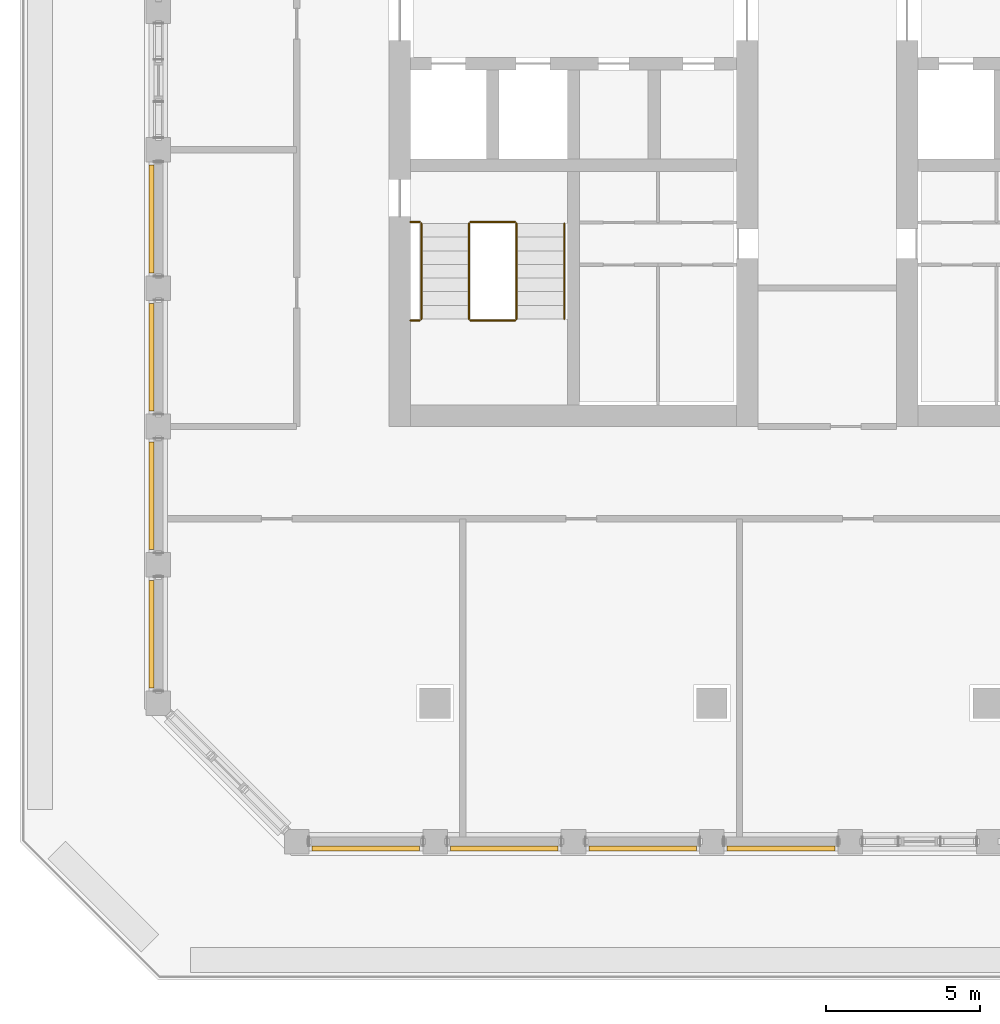
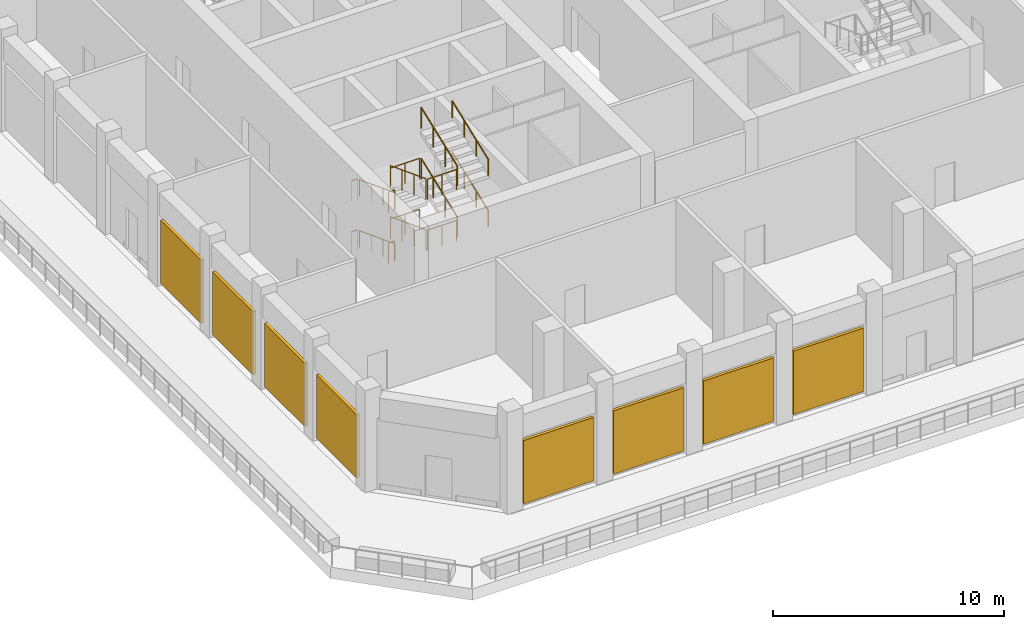
# One storey, part 14 of 19: 16 railings, 8 shading devices.
"""IFC4 building model written with IfcOpenShell, lengths in metres."""

from ifc_helpers import new_model, si_unit, direction, frame, origin, origin_2d, place, context, subcontext, project, spatial, rectangle, circle, extrude, material, layer, layer_set, type_object, element, save


model = new_model("IFC4")

# Units and contexts
model_context = context("Model", 3, precision=1e-05, world=origin(), true_north=direction((0.0, 1.0)))
body_context = subcontext(model_context, "Body", "Model", "MODEL_VIEW")
ifc_project = project(units=[si_unit("LENGTHUNIT", "METRE"), si_unit("AREAUNIT", "SQUARE_METRE"), si_unit("VOLUMEUNIT", "CUBIC_METRE"), si_unit("PLANEANGLEUNIT", "RADIAN"), si_unit("MASSUNIT", "GRAM", prefix="KILO")], contexts=[model_context])

# Site, building, storey
site_placement = place(None, origin())
site = spatial("IfcSite", under=ifc_project, at=site_placement, CompositionType="ELEMENT")
building_placement = place(site_placement, origin())
building = spatial("IfcBuilding", under=site, at=building_placement, Name="Corbel Stack Research Tower", CompositionType="ELEMENT")
storey_placement = place(building_placement, frame((0.0, 0.0, 226.199951171875)))
storey = spatial("IfcBuildingStorey", under=building, at=storey_placement, Name="L51", CompositionType="ELEMENT", Elevation=226.199951171875)

# Shading devices
ifc_material_1 = material(Name="Aluminium louvre", Category="aluminium")
ifc_layer = layer(ifc_material_1, 0.14990234375)
ifc_layer_set = layer_set([ifc_layer], Name="Aluminium louvre")
shading_device_type = type_object("IfcShadingDeviceType", Name="Plant louvre 150", PredefinedType="USERDEFINED", material=ifc_layer_set)
for number, where, z_axis, x_axis, name in (
    (1, (-11.25, -22.72509765625, 0.199951171875), (0.0, 0.0, 1.0), (1.0, 0.0, 0.0), "Plant louvre L51 S01"),
    (2, (-6.75, -22.72509765625, 0.199951171875), (0.0, 0.0, 1.0), (1.0, 0.0, 0.0), "Plant louvre L51 S02"),
    (3, (-2.25, -22.72509765625, 0.199951171875), (0.0, 0.0, 1.0), (1.0, 0.0, 0.0), "Plant louvre L51 S03"),
    (4, (2.25, -22.72509765625, 0.199951171875), (0.0, 0.0, 1.0), (1.0, 0.0, 0.0), "Plant louvre L51 S04"),
    (5, (-18.22509765625, -2.25, 0.199951171875), (0.0, 0.0, 1.0), (0.0, -1.0, 0.0), "Plant louvre L51 W06"),
    (6, (-18.22509765625, -6.75, 0.199951171875), (0.0, 0.0, 1.0), (0.0, -1.0, 0.0), "Plant louvre L51 W07"),
    (7, (-18.22509765625, -11.25, 0.199951171875), (0.0, 0.0, 1.0), (0.0, -1.0, 0.0), "Plant louvre L51 W08"),
    (8, (-18.22509765625, -15.75, 0.199951171875), (0.0, 0.0, 1.0), (0.0, -1.0, 0.0), "Plant louvre L51 W09"),
):
    element("IfcShadingDevice", number, at=place(storey_placement, frame(where, z_axis=z_axis, x_axis=x_axis)), inside=storey, type_object=shading_device_type, Name=name, ObjectType="LOUVRE", PredefinedType="USERDEFINED", context=body_context, shape_type="SweptSolid", body=[
        extrude(rectangle(XDim=3.5, YDim=0.14990234375, at=origin_2d()), origin(), (0.0, 0.0, 1.0), 3.35009765625),
    ])

# Railings
ifc_material_2 = material(Name="Steel S355", Category="steel")
railing_type_1 = type_object("IfcRailingType", Name="Stair guard 1100", PredefinedType="GUARDRAIL", material=ifc_material_2)
railing_1_placement = place(storey_placement, frame((-7.89990234375, -2.39990234375, 0.168701171875)))
element("IfcRailing", 9, at=railing_1_placement, inside=storey, type_object=railing_type_1, Name="L51 ST-W1 stair guard 1", PredefinedType="GUARDRAIL", context=body_context, shape_type="SweptSolid", body=[
    extrude(circle(Radius=0.02392578125, at=origin_2d()), frame((0.0, 0.0, 1.076171875), z_axis=(0.0, -0.934484238495, 0.356004505596), x_axis=(1.0, 0.0, 0.0)), (0.0, 0.0, 1.0), 3.318603515625),
    extrude(circle(Radius=0.02099609375, at=origin_2d()), origin(), (0.0, 0.0, 1.0), 1.052001953125),
    extrude(circle(Radius=0.02099609375, at=origin_2d()), frame((0.0, -1.03369140625, 0.393798828125)), (0.0, 0.0, 1.0), 1.052001953125),
    extrude(circle(Radius=0.02099609375, at=origin_2d()), frame((0.0, -2.0673828125, 0.78759765625)), (0.0, 0.0, 1.0), 1.052001953125),
    extrude(circle(Radius=0.02099609375, at=origin_2d()), frame((0.0, -3.10107421875, 1.181396484375)), (0.0, 0.0, 1.0), 1.052001953125),
])
railing_2_placement = place(storey_placement, frame((-7.85009765625, -5.551025390625, 1.35009765625)))
element("IfcRailing", 10, at=railing_2_placement, inside=storey, type_object=railing_type_1, Name="L51 ST-W1 stair guard 2", PredefinedType="GUARDRAIL", context=body_context, shape_type="SweptSolid", body=[
    extrude(circle(Radius=0.02392578125, at=origin_2d()), frame((0.0, 0.0, 1.076171875), z_axis=(1.0, 0.0, 0.0), x_axis=(0.0, 1.0, 0.0)), (0.0, 0.0, 1.0), 1.4501953125),
    extrude(circle(Radius=0.02099609375, at=origin_2d()), origin(), (0.0, 0.0, 1.0), 1.052001953125),
    extrude(circle(Radius=0.02099609375, at=origin_2d()), frame((0.72509765625, 0.0, 0.0)), (0.0, 0.0, 1.0), 1.052001953125),
    extrude(circle(Radius=0.02099609375, at=origin_2d()), frame((1.4501953125, 0.0, 0.0)), (0.0, 0.0, 1.0), 1.052001953125),
])
railing_3_placement = place(storey_placement, frame((-9.800048828125, -5.551025390625, 1.35009765625)))
element("IfcRailing", 11, at=railing_3_placement, inside=storey, type_object=railing_type_1, Name="L51 ST-W1 stair guard 3", PredefinedType="GUARDRAIL", context=body_context, shape_type="SweptSolid", body=[
    extrude(circle(Radius=0.02392578125, at=origin_2d()), frame((0.0, 0.0, 1.076171875), z_axis=(1.0, 0.0, 0.0), x_axis=(0.0, 1.0, 0.0)), (0.0, 0.0, 1.0), 0.300048828125),
    extrude(circle(Radius=0.02099609375, at=origin_2d()), origin(), (0.0, 0.0, 1.0), 1.052001953125),
    extrude(circle(Radius=0.02099609375, at=origin_2d()), frame((0.300048828125, 0.0, 0.0)), (0.0, 0.0, 1.0), 1.052001953125),
])
railing_4_placement = place(storey_placement, frame((-6.35009765625, -5.5009765625, 1.518798828125)))
element("IfcRailing", 12, at=railing_4_placement, inside=storey, type_object=railing_type_1, Name="L51 ST-W1 stair guard 4", PredefinedType="GUARDRAIL", context=body_context, shape_type="SweptSolid", body=[
    extrude(circle(Radius=0.02392578125, at=origin_2d()), frame((0.0, 0.0, 1.076171875), z_axis=(0.0, 0.934508712189, 0.355940257406), x_axis=(-1.0, 0.0, 0.0)), (0.0, 0.0, 1.0), 3.318359375),
    extrude(circle(Radius=0.02099609375, at=origin_2d()), origin(), (0.0, 0.0, 1.0), 1.052001953125),
    extrude(circle(Radius=0.02099609375, at=origin_2d()), frame((0.0, 1.03369140625, 0.393798828125)), (0.0, 0.0, 1.0), 1.052001953125),
    extrude(circle(Radius=0.02099609375, at=origin_2d()), frame((0.0, 2.0673828125, 0.787353515625)), (0.0, 0.0, 1.0), 1.052001953125),
    extrude(circle(Radius=0.02099609375, at=origin_2d()), frame((0.0, 3.10107421875, 1.18115234375)), (0.0, 0.0, 1.0), 1.052001953125),
])
railing_5_placement = place(storey_placement, frame((-7.85009765625, -2.35009765625, 2.699951171875)))
element("IfcRailing", 13, at=railing_5_placement, inside=storey, type_object=railing_type_1, Name="L51 ST-W1 stair guard 5", PredefinedType="GUARDRAIL", context=body_context, shape_type="SweptSolid", body=[
    extrude(circle(Radius=0.02392578125, at=origin_2d()), frame((0.0, 0.0, 1.076171875), z_axis=(1.0, 0.0, 0.0), x_axis=(0.0, 1.0, 0.0)), (0.0, 0.0, 1.0), 1.4501953125),
    extrude(circle(Radius=0.02099609375, at=origin_2d()), origin(), (0.0, 0.0, 1.0), 1.052001953125),
    extrude(circle(Radius=0.02099609375, at=origin_2d()), frame((0.72509765625, 0.0, 0.0)), (0.0, 0.0, 1.0), 1.052001953125),
    extrude(circle(Radius=0.02099609375, at=origin_2d()), frame((1.4501953125, 0.0, 0.0)), (0.0, 0.0, 1.0), 1.052001953125),
])
railing_6_placement = place(storey_placement, frame((-9.800048828125, -2.35009765625, 2.699951171875)))
element("IfcRailing", 14, at=railing_6_placement, inside=storey, type_object=railing_type_1, Name="L51 ST-W1 stair guard 6", PredefinedType="GUARDRAIL", context=body_context, shape_type="SweptSolid", body=[
    extrude(circle(Radius=0.02392578125, at=origin_2d()), frame((0.0, 0.0, 1.076171875), z_axis=(1.0, 0.0, 0.0), x_axis=(0.0, 1.0, 0.0)), (0.0, 0.0, 1.0), 0.300048828125),
    extrude(circle(Radius=0.02099609375, at=origin_2d()), origin(), (0.0, 0.0, 1.0), 1.052001953125),
    extrude(circle(Radius=0.02099609375, at=origin_2d()), frame((0.300048828125, 0.0, 0.0)), (0.0, 0.0, 1.0), 1.052001953125),
])
railing_7_placement = place(storey_placement, frame((-7.89990234375, -2.39990234375, 2.868896484375)))
element("IfcRailing", 15, at=railing_7_placement, inside=storey, type_object=railing_type_1, Name="L51 ST-W1 stair guard 7", PredefinedType="GUARDRAIL", context=body_context, shape_type="SweptSolid", body=[
    extrude(circle(Radius=0.02392578125, at=origin_2d()), frame((0.0, 0.0, 1.076171875), z_axis=(0.0, -0.934508712189, 0.355940257406), x_axis=(1.0, 0.0, 0.0)), (0.0, 0.0, 1.0), 3.318359375),
    extrude(circle(Radius=0.02099609375, at=origin_2d()), origin(), (0.0, 0.0, 1.0), 1.052001953125),
    extrude(circle(Radius=0.02099609375, at=origin_2d()), frame((0.0, -1.03369140625, 0.393798828125)), (0.0, 0.0, 1.0), 1.052001953125),
    extrude(circle(Radius=0.02099609375, at=origin_2d()), frame((0.0, -2.0673828125, 0.787353515625)), (0.0, 0.0, 1.0), 1.052001953125),
    extrude(circle(Radius=0.02099609375, at=origin_2d()), frame((0.0, -3.10107421875, 1.18115234375)), (0.0, 0.0, 1.0), 1.052001953125),
])
railing_8_placement = place(storey_placement, frame((-7.85009765625, -5.551025390625, 4.050048828125)))
element("IfcRailing", 16, at=railing_8_placement, inside=storey, type_object=railing_type_1, Name="L51 ST-W1 stair guard 8", PredefinedType="GUARDRAIL", context=body_context, shape_type="SweptSolid", body=[
    extrude(circle(Radius=0.02392578125, at=origin_2d()), frame((0.0, 0.0, 1.076171875), z_axis=(1.0, 0.0, 0.0), x_axis=(0.0, 1.0, 0.0)), (0.0, 0.0, 1.0), 1.4501953125),
    extrude(circle(Radius=0.02099609375, at=origin_2d()), origin(), (0.0, 0.0, 1.0), 1.052001953125),
    extrude(circle(Radius=0.02099609375, at=origin_2d()), frame((0.72509765625, 0.0, 0.0)), (0.0, 0.0, 1.0), 1.052001953125),
    extrude(circle(Radius=0.02099609375, at=origin_2d()), frame((1.4501953125, 0.0, 0.0)), (0.0, 0.0, 1.0), 1.052001953125),
])
railing_9_placement = place(storey_placement, frame((-9.800048828125, -5.551025390625, 4.050048828125)))
element("IfcRailing", 17, at=railing_9_placement, inside=storey, type_object=railing_type_1, Name="L51 ST-W1 stair guard 9", PredefinedType="GUARDRAIL", context=body_context, shape_type="SweptSolid", body=[
    extrude(circle(Radius=0.02392578125, at=origin_2d()), frame((0.0, 0.0, 1.076171875), z_axis=(1.0, 0.0, 0.0), x_axis=(0.0, 1.0, 0.0)), (0.0, 0.0, 1.0), 0.300048828125),
    extrude(circle(Radius=0.02099609375, at=origin_2d()), origin(), (0.0, 0.0, 1.0), 1.052001953125),
    extrude(circle(Radius=0.02099609375, at=origin_2d()), frame((0.300048828125, 0.0, 0.0)), (0.0, 0.0, 1.0), 1.052001953125),
])
railing_10_placement = place(storey_placement, frame((-6.35009765625, -5.5009765625, 4.21875)))
element("IfcRailing", 18, at=railing_10_placement, inside=storey, type_object=railing_type_1, Name="L51 ST-W1 stair guard 10", PredefinedType="GUARDRAIL", context=body_context, shape_type="SweptSolid", body=[
    extrude(circle(Radius=0.02392578125, at=origin_2d()), frame((0.0, 0.0, 1.076171875), z_axis=(0.0, 0.934484238495, 0.356004505596), x_axis=(-1.0, 0.0, 0.0)), (0.0, 0.0, 1.0), 3.318603515625),
    extrude(circle(Radius=0.02099609375, at=origin_2d()), origin(), (0.0, 0.0, 1.0), 1.052001953125),
    extrude(circle(Radius=0.02099609375, at=origin_2d()), frame((0.0, 1.03369140625, 0.393798828125)), (0.0, 0.0, 1.0), 1.052001953125),
    extrude(circle(Radius=0.02099609375, at=origin_2d()), frame((0.0, 2.0673828125, 0.78759765625)), (0.0, 0.0, 1.0), 1.052001953125),
    extrude(circle(Radius=0.02099609375, at=origin_2d()), frame((0.0, 3.10107421875, 1.181396484375)), (0.0, 0.0, 1.0), 1.052001953125),
])
railing_11_placement = place(storey_placement, frame((-7.85009765625, -2.35009765625, 0.0)))
element("IfcRailing", 19, at=railing_11_placement, inside=storey, type_object=railing_type_1, Name="L51 ST-W1 stair guard 11", PredefinedType="GUARDRAIL", context=body_context, shape_type="SweptSolid", body=[
    extrude(circle(Radius=0.02392578125, at=origin_2d()), frame((0.0, 0.0, 1.076171875), z_axis=(1.0, 0.0, 0.0), x_axis=(0.0, 1.0, 0.0)), (0.0, 0.0, 1.0), 1.4501953125),
    extrude(circle(Radius=0.02099609375, at=origin_2d()), origin(), (0.0, 0.0, 1.0), 1.052001953125),
    extrude(circle(Radius=0.02099609375, at=origin_2d()), frame((0.72509765625, 0.0, 0.0)), (0.0, 0.0, 1.0), 1.052001953125),
    extrude(circle(Radius=0.02099609375, at=origin_2d()), frame((1.4501953125, 0.0, 0.0)), (0.0, 0.0, 1.0), 1.052001953125),
])
railing_12_placement = place(storey_placement, frame((-9.800048828125, -2.35009765625, 0.0)))
element("IfcRailing", 20, at=railing_12_placement, inside=storey, type_object=railing_type_1, Name="L51 ST-W1 stair guard 12", PredefinedType="GUARDRAIL", context=body_context, shape_type="SweptSolid", body=[
    extrude(circle(Radius=0.02392578125, at=origin_2d()), frame((0.0, 0.0, 1.076171875), z_axis=(1.0, 0.0, 0.0), x_axis=(0.0, 1.0, 0.0)), (0.0, 0.0, 1.0), 0.300048828125),
    extrude(circle(Radius=0.02099609375, at=origin_2d()), origin(), (0.0, 0.0, 1.0), 1.052001953125),
    extrude(circle(Radius=0.02099609375, at=origin_2d()), frame((0.300048828125, 0.0, 0.0)), (0.0, 0.0, 1.0), 1.052001953125),
])
ifc_material_3 = material(Name="Steel S355", Category="steel")
railing_type_2 = type_object("IfcRailingType", Name="Stair handrail 900", PredefinedType="HANDRAIL", material=ifc_material_3)
railing_13_placement = place(storey_placement, frame((-9.449951171875, -2.39990234375, 0.168701171875)))
element("IfcRailing", 21, at=railing_13_placement, inside=storey, type_object=railing_type_2, Name="L51 ST-W1 stair handrail 1", PredefinedType="HANDRAIL", context=body_context, shape_type="SweptSolid", body=[
    extrude(circle(Radius=0.02392578125, at=origin_2d()), frame((0.0, 0.0, 0.8759765625), z_axis=(0.0, -0.934484238495, 0.356004505596), x_axis=(1.0, 0.0, 0.0)), (0.0, 0.0, 1.0), 3.318603515625),
    extrude(circle(Radius=0.02099609375, at=origin_2d()), origin(), (0.0, 0.0, 1.0), 0.851806640625),
    extrude(circle(Radius=0.02099609375, at=origin_2d()), frame((0.0, -1.03369140625, 0.393798828125)), (0.0, 0.0, 1.0), 0.851806640625),
    extrude(circle(Radius=0.02099609375, at=origin_2d()), frame((0.0, -2.0673828125, 0.78759765625)), (0.0, 0.0, 1.0), 0.851806640625),
    extrude(circle(Radius=0.02099609375, at=origin_2d()), frame((0.0, -3.10107421875, 1.181396484375)), (0.0, 0.0, 1.0), 0.851806640625),
])
railing_14_placement = place(storey_placement, frame((-4.800048828125, -5.5009765625, 1.518798828125)))
element("IfcRailing", 22, at=railing_14_placement, inside=storey, type_object=railing_type_2, Name="L51 ST-W1 stair handrail 2", PredefinedType="HANDRAIL", context=body_context, shape_type="SweptSolid", body=[
    extrude(circle(Radius=0.02392578125, at=origin_2d()), frame((0.0, 0.0, 0.8759765625), z_axis=(0.0, 0.934508712189, 0.355940257406), x_axis=(-1.0, 0.0, 0.0)), (0.0, 0.0, 1.0), 3.318359375),
    extrude(circle(Radius=0.02099609375, at=origin_2d()), origin(), (0.0, 0.0, 1.0), 0.851806640625),
    extrude(circle(Radius=0.02099609375, at=origin_2d()), frame((0.0, 1.03369140625, 0.393798828125)), (0.0, 0.0, 1.0), 0.851806640625),
    extrude(circle(Radius=0.02099609375, at=origin_2d()), frame((0.0, 2.0673828125, 0.787353515625)), (0.0, 0.0, 1.0), 0.851806640625),
    extrude(circle(Radius=0.02099609375, at=origin_2d()), frame((0.0, 3.10107421875, 1.18115234375)), (0.0, 0.0, 1.0), 0.851806640625),
])
railing_15_placement = place(storey_placement, frame((-9.449951171875, -2.39990234375, 2.868896484375)))
element("IfcRailing", 23, at=railing_15_placement, inside=storey, type_object=railing_type_2, Name="L51 ST-W1 stair handrail 3", PredefinedType="HANDRAIL", context=body_context, shape_type="SweptSolid", body=[
    extrude(circle(Radius=0.02392578125, at=origin_2d()), frame((0.0, 0.0, 0.8759765625), z_axis=(0.0, -0.934508712189, 0.355940257406), x_axis=(1.0, 0.0, 0.0)), (0.0, 0.0, 1.0), 3.318359375),
    extrude(circle(Radius=0.02099609375, at=origin_2d()), origin(), (0.0, 0.0, 1.0), 0.851806640625),
    extrude(circle(Radius=0.02099609375, at=origin_2d()), frame((0.0, -1.03369140625, 0.393798828125)), (0.0, 0.0, 1.0), 0.851806640625),
    extrude(circle(Radius=0.02099609375, at=origin_2d()), frame((0.0, -2.0673828125, 0.787353515625)), (0.0, 0.0, 1.0), 0.851806640625),
    extrude(circle(Radius=0.02099609375, at=origin_2d()), frame((0.0, -3.10107421875, 1.18115234375)), (0.0, 0.0, 1.0), 0.851806640625),
])
railing_16_placement = place(storey_placement, frame((-4.800048828125, -5.5009765625, 4.21875)))
element("IfcRailing", 24, at=railing_16_placement, inside=storey, type_object=railing_type_2, Name="L51 ST-W1 stair handrail 4", PredefinedType="HANDRAIL", context=body_context, shape_type="SweptSolid", body=[
    extrude(circle(Radius=0.02392578125, at=origin_2d()), frame((0.0, 0.0, 0.8759765625), z_axis=(0.0, 0.934484238495, 0.356004505596), x_axis=(-1.0, 0.0, 0.0)), (0.0, 0.0, 1.0), 3.318603515625),
    extrude(circle(Radius=0.02099609375, at=origin_2d()), origin(), (0.0, 0.0, 1.0), 0.851806640625),
    extrude(circle(Radius=0.02099609375, at=origin_2d()), frame((0.0, 1.03369140625, 0.393798828125)), (0.0, 0.0, 1.0), 0.851806640625),
    extrude(circle(Radius=0.02099609375, at=origin_2d()), frame((0.0, 2.0673828125, 0.78759765625)), (0.0, 0.0, 1.0), 0.851806640625),
    extrude(circle(Radius=0.02099609375, at=origin_2d()), frame((0.0, 3.10107421875, 1.181396484375)), (0.0, 0.0, 1.0), 0.851806640625),
])

save(model, "model.ifc")
